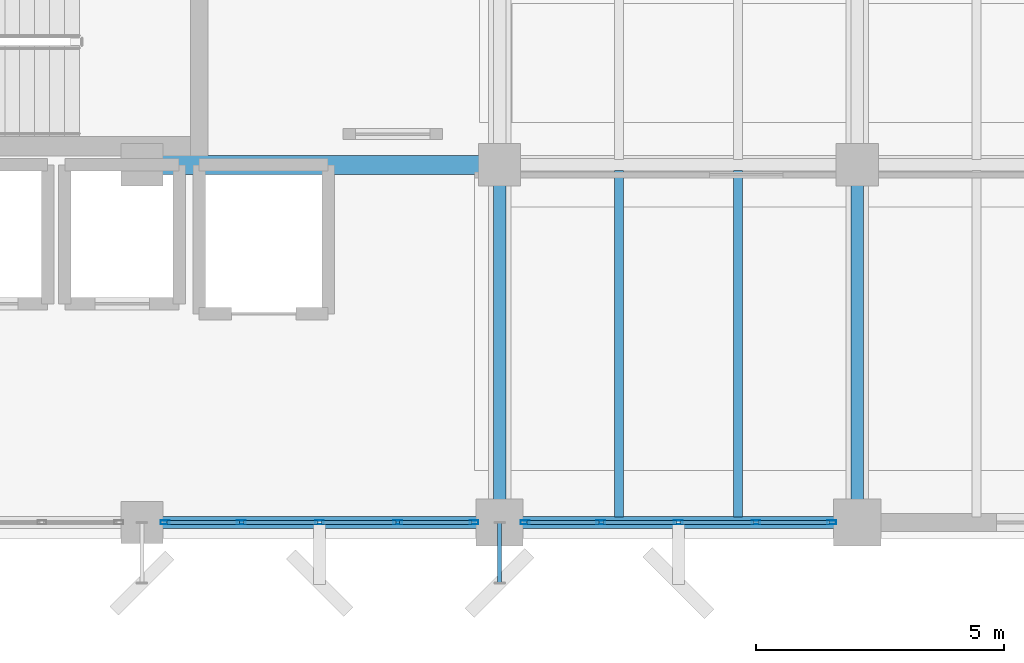
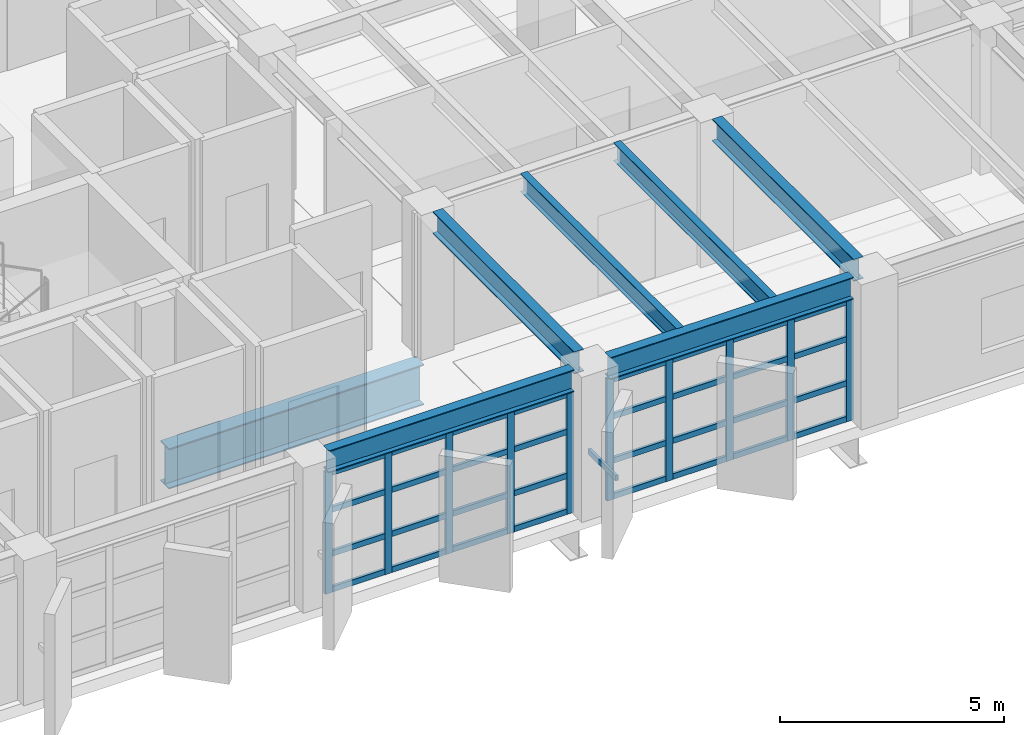
# One storey, part 8 of 59: 43 members, 7 beams, 2 elements without a shape of their own.
"""IFC4 building model written with IfcOpenShell, lengths in metres."""

from ifc_helpers import new_model, si_unit, direction, frame, origin, origin_2d, place, context, subcontext, project, spatial, hollow_rectangle, i_section, extrude, material, layer, layer_set, material_profile, profile_set, type_object, element, aggregate, save


model = new_model("IFC4")

# Units and contexts
model_context = context("Model", 3, precision=1e-05, world=origin(), true_north=direction((0.0, 1.0)))
body_context = subcontext(model_context, "Body", "Model", "MODEL_VIEW")
ifc_project = project(units=[si_unit("LENGTHUNIT", "METRE"), si_unit("AREAUNIT", "SQUARE_METRE"), si_unit("VOLUMEUNIT", "CUBIC_METRE"), si_unit("PLANEANGLEUNIT", "RADIAN"), si_unit("MASSUNIT", "GRAM", prefix="KILO")], contexts=[model_context])

# Site, building, storey
site_placement = place(None, origin())
site = spatial("IfcSite", under=ifc_project, at=site_placement, CompositionType="ELEMENT")
building_placement = place(site_placement, origin())
building = spatial("IfcBuilding", under=site, at=building_placement, Name="Kandorven Conservatory and Botanical Research Centre", CompositionType="ELEMENT")
storey_placement = place(building_placement, frame((0.0, 0.0, 4.800048828125)))
storey = spatial("IfcBuildingStorey", under=building, at=storey_placement, Name="L01", CompositionType="ELEMENT", Elevation=4.800048828125)

# Beams
ifc_material_1 = material(Name="Steel S355 (IS 2062 E350)", Category="steel")
ifc_material_profile_1 = material_profile(ifc_material_1, i_section(OverallWidth=0.25, OverallDepth=0.60009765625, WebThickness=0.01171875, FlangeThickness=0.023681640625, at=origin_2d()))
ifc_profile_set_1 = profile_set([ifc_material_profile_1], Name="Steel S355 (IS 2062 E350)")
beam_type_1 = type_object("IfcBeamType", Name="Beam_FG-01", PredefinedType="USERDEFINED", material=ifc_profile_set_1)
beam_1_placement = place(storey_placement, frame((20.81494140625, 6.0, 3.64990234375), z_axis=(1.0, 0.0, 0.0), x_axis=(0.0, 1.0, 0.0)))
element("IfcBeam", 1, at=beam_1_placement, inside=storey, type_object=beam_type_1, Name="Primary girder FG-01 TWR L01", ObjectType="GIRDER", PredefinedType="USERDEFINED", context=body_context, shape_type="SweptSolid", body=[
    extrude(i_section(OverallWidth=0.25, OverallDepth=0.60009765625, WebThickness=0.01171875, FlangeThickness=0.023681640625, at=origin_2d()), origin(), (0.0, 0.0, 1.0), 6.320068359375),
])
beam_2_placement = place(storey_placement, frame((28.06494140625, 6.0, 3.64990234375), z_axis=(1.0, 0.0, 0.0), x_axis=(0.0, 1.0, 0.0)))
element("IfcBeam", 2, at=beam_2_placement, inside=storey, type_object=beam_type_1, Name="Primary girder FG-01 TWR L01", ObjectType="GIRDER", PredefinedType="USERDEFINED", context=body_context, shape_type="SweptSolid", body=[
    extrude(i_section(OverallWidth=0.25, OverallDepth=0.60009765625, WebThickness=0.01171875, FlangeThickness=0.023681640625, at=origin_2d()), origin(), (0.0, 0.0, 1.0), 6.27001953125),
])
for number, where, z_axis, x_axis, name in (
    (3, (27.60009765625, 6.465087890625, 3.64990234375), (0.0, 1.0, 0.0), (-1.0, 0.0, 0.0), "Primary girder FG-01 TWR L01"),
    (4, (34.800048828125, 6.465087890625, 3.64990234375), (0.0, 1.0, 0.0), (-1.0, 0.0, 0.0), "Primary girder FG-01 TWR L01"),
):
    element("IfcBeam", number, at=place(storey_placement, frame(where, z_axis=z_axis, x_axis=x_axis)), inside=storey, type_object=beam_type_1, Name=name, ObjectType="GIRDER", PredefinedType="USERDEFINED", context=body_context, shape_type="SweptSolid", body=[
        extrude(i_section(OverallWidth=0.25, OverallDepth=0.60009765625, WebThickness=0.01171875, FlangeThickness=0.023681640625, at=origin_2d()), origin(), (0.0, 0.0, 1.0), 6.31982421875),
    ])
ifc_material_2 = material(Name="Steel S355 (IS 2062 E350)", Category="steel")
ifc_material_profile_2 = material_profile(ifc_material_2, i_section(OverallWidth=0.3798828125, OverallDepth=1.10009765625, WebThickness=0.02001953125, FlangeThickness=0.031982421875, at=origin_2d()))
ifc_profile_set_2 = profile_set([ifc_material_profile_2], Name="Steel S355 (IS 2062 E350)")
beam_type_2 = type_object("IfcBeamType", Name="Beam_PG-01", PredefinedType="USERDEFINED", material=ifc_profile_set_2)
beam_3_placement = place(storey_placement, frame((20.81494140625, 13.199951171875, -0.8701171875), z_axis=(1.0, 0.0, 0.0), x_axis=(0.0, 1.0, 0.0)))
element("IfcBeam", 5, at=beam_3_placement, inside=storey, type_object=beam_type_2, Name="Transfer tie girder PG-01 bay 1", ObjectType="GIRDER", PredefinedType="USERDEFINED", context=body_context, shape_type="SweptSolid", body=[
    extrude(i_section(OverallWidth=0.3798828125, OverallDepth=1.10009765625, WebThickness=0.02001953125, FlangeThickness=0.031982421875, at=origin_2d()), origin(), (0.0, 0.0, 1.0), 6.570068359375),
])
ifc_material_3 = material(Name="Steel S355 (IS 2062 E350)", Category="steel")
ifc_material_profile_3 = material_profile(ifc_material_3, i_section(OverallWidth=0.179931640625, OverallDepth=0.5, WebThickness=0.01025390625, FlangeThickness=0.01708984375, at=origin_2d()))
ifc_profile_set_3 = profile_set([ifc_material_profile_3], Name="Steel S355 (IS 2062 E350)")
beam_type_3 = type_object("IfcBeamType", Name="Beam_SB-03", PredefinedType="BEAM", material=ifc_profile_set_3)
for number, where, z_axis, x_axis, name in (
    (6, (30.0, 6.110107421875, 3.699951171875), (0.0, 1.0, 0.0), (-1.0, 0.0, 0.0), "Composite secondary beam SB-03 TWR L01"),
    (7, (32.39990234375, 6.110107421875, 3.699951171875), (0.0, 1.0, 0.0), (-1.0, 0.0, 0.0), "Composite secondary beam SB-03 TWR L01"),
):
    element("IfcBeam", number, at=place(storey_placement, frame(where, z_axis=z_axis, x_axis=x_axis)), inside=storey, type_object=beam_type_3, Name=name, PredefinedType="BEAM", context=body_context, shape_type="SweptSolid", body=[
        extrude(i_section(OverallWidth=0.179931640625, OverallDepth=0.5, WebThickness=0.01025390625, FlangeThickness=0.01708984375, at=origin_2d()), origin(), (0.0, 0.0, 1.0), 6.97998046875),
    ])

# Curtain wall, members
ifc_material_4 = material(Name="Bronze anodised thermally broken aluminium", Category="aluminium")
ifc_layer = layer(ifc_material_4, 0.179931640625)
ifc_layer_set = layer_set([ifc_layer], Name="Bronze anodised thermally broken aluminium")
curtain_wall_type = type_object("IfcCurtainWallType", Name="CW_Unitised", PredefinedType="USERDEFINED", material=ifc_layer_set)
curtain_wall_1_placement = place(storey_placement, origin())
curtain_wall_1 = element("IfcCurtainWall", 8, at=curtain_wall_1_placement, inside=storey, type_object=curtain_wall_type, Name="Tower laboratory curtain wall CW-TWR-S-L01-3", ObjectType="UNITISED GLAZING", PredefinedType="USERDEFINED")
ifc_material_5 = material(Name="Bronze anodised thermally broken aluminium", Category="aluminium")
ifc_material_profile_4 = material_profile(ifc_material_5, hollow_rectangle(XDim=0.080078125, YDim=0.179931640625, WallThickness=0.006103515625, at=origin_2d()))
ifc_profile_set_4 = profile_set([ifc_material_profile_4], Name="Bronze anodised thermally broken aluminium")
member_type_1 = type_object("IfcMemberType", Name="CW_Mullion", PredefinedType="MULLION", material=ifc_profile_set_4)
member_1_placement = place(storey_placement, frame((20.864990234375, 6.0, 0.0), z_axis=(0.0, 0.0, 1.0), x_axis=(0.0, 1.0, 0.0)))
member_1 = element("IfcMember", 9, at=member_1_placement, type_object=member_type_1, Name="CW-01 mullion 1", PredefinedType="MULLION", context=body_context, shape_type="SweptSolid", body=[
    extrude(hollow_rectangle(XDim=0.080078125, YDim=0.179931640625, WallThickness=0.006103515625, at=origin_2d()), origin(), (0.0, 0.0, 1.0), 3.329833984375),
])
member_2_placement = place(storey_placement, frame((22.39990234375, 6.0, 0.0), z_axis=(0.0, 0.0, 1.0), x_axis=(0.0, 1.0, 0.0)))
member_2 = element("IfcMember", 10, at=member_2_placement, type_object=member_type_1, Name="CW-01 mullion 2", PredefinedType="MULLION", context=body_context, shape_type="SweptSolid", body=[
    extrude(hollow_rectangle(XDim=0.080078125, YDim=0.179931640625, WallThickness=0.006103515625, at=origin_2d()), origin(), (0.0, 0.0, 1.0), 3.329833984375),
])
member_3_placement = place(storey_placement, frame((23.97509765625, 6.0, 0.0), z_axis=(0.0, 0.0, 1.0), x_axis=(0.0, 1.0, 0.0)))
member_3 = element("IfcMember", 11, at=member_3_placement, type_object=member_type_1, Name="CW-01 mullion 3", PredefinedType="MULLION", context=body_context, shape_type="SweptSolid", body=[
    extrude(hollow_rectangle(XDim=0.080078125, YDim=0.179931640625, WallThickness=0.006103515625, at=origin_2d()), origin(), (0.0, 0.0, 1.0), 3.329833984375),
])
member_4_placement = place(storey_placement, frame((25.550048828125, 6.0, 0.0), z_axis=(0.0, 0.0, 1.0), x_axis=(0.0, 1.0, 0.0)))
member_4 = element("IfcMember", 12, at=member_4_placement, type_object=member_type_1, Name="CW-01 mullion 4", PredefinedType="MULLION", context=body_context, shape_type="SweptSolid", body=[
    extrude(hollow_rectangle(XDim=0.080078125, YDim=0.179931640625, WallThickness=0.006103515625, at=origin_2d()), origin(), (0.0, 0.0, 1.0), 3.329833984375),
])
member_5_placement = place(storey_placement, frame((27.0849609375, 6.0, 0.0), z_axis=(0.0, 0.0, 1.0), x_axis=(0.0, 1.0, 0.0)))
member_5 = element("IfcMember", 13, at=member_5_placement, type_object=member_type_1, Name="CW-01 mullion 5", PredefinedType="MULLION", context=body_context, shape_type="SweptSolid", body=[
    extrude(hollow_rectangle(XDim=0.080078125, YDim=0.179931640625, WallThickness=0.006103515625, at=origin_2d()), origin(), (0.0, 0.0, 1.0), 3.329833984375),
])

curtain_wall_2_placement = place(storey_placement, origin())
curtain_wall_2 = element("IfcCurtainWall", 14, at=curtain_wall_2_placement, inside=storey, type_object=curtain_wall_type, Name="Tower laboratory curtain wall CW-TWR-S-L01-4", ObjectType="UNITISED GLAZING", PredefinedType="USERDEFINED")
member_6_placement = place(storey_placement, frame((28.114990234375, 6.0, 0.0), z_axis=(0.0, 0.0, 1.0), x_axis=(0.0, 1.0, 0.0)))
member_6 = element("IfcMember", 15, at=member_6_placement, type_object=member_type_1, Name="CW-01 mullion 1", PredefinedType="MULLION", context=body_context, shape_type="SweptSolid", body=[
    extrude(hollow_rectangle(XDim=0.080078125, YDim=0.179931640625, WallThickness=0.006103515625, at=origin_2d()), origin(), (0.0, 0.0, 1.0), 3.329833984375),
])
member_7_placement = place(storey_placement, frame((29.637451171875, 6.0, 0.0), z_axis=(0.0, 0.0, 1.0), x_axis=(0.0, 1.0, 0.0)))
member_7 = element("IfcMember", 16, at=member_7_placement, type_object=member_type_1, Name="CW-01 mullion 2", PredefinedType="MULLION", context=body_context, shape_type="SweptSolid", body=[
    extrude(hollow_rectangle(XDim=0.080078125, YDim=0.179931640625, WallThickness=0.006103515625, at=origin_2d()), origin(), (0.0, 0.0, 1.0), 3.329833984375),
])
member_8_placement = place(storey_placement, frame((31.199951171875, 6.0, 0.0), z_axis=(0.0, 0.0, 1.0), x_axis=(0.0, 1.0, 0.0)))
member_8 = element("IfcMember", 17, at=member_8_placement, type_object=member_type_1, Name="CW-01 mullion 3", PredefinedType="MULLION", context=body_context, shape_type="SweptSolid", body=[
    extrude(hollow_rectangle(XDim=0.080078125, YDim=0.179931640625, WallThickness=0.006103515625, at=origin_2d()), origin(), (0.0, 0.0, 1.0), 3.329833984375),
])
member_9_placement = place(storey_placement, frame((32.762451171875, 6.0, 0.0), z_axis=(0.0, 0.0, 1.0), x_axis=(0.0, 1.0, 0.0)))
member_9 = element("IfcMember", 18, at=member_9_placement, type_object=member_type_1, Name="CW-01 mullion 4", PredefinedType="MULLION", context=body_context, shape_type="SweptSolid", body=[
    extrude(hollow_rectangle(XDim=0.080078125, YDim=0.179931640625, WallThickness=0.006103515625, at=origin_2d()), origin(), (0.0, 0.0, 1.0), 3.329833984375),
])
member_10_placement = place(storey_placement, frame((34.284912109375, 6.0, 0.0), z_axis=(0.0, 0.0, 1.0), x_axis=(0.0, 1.0, 0.0)))
member_10 = element("IfcMember", 19, at=member_10_placement, type_object=member_type_1, Name="CW-01 mullion 5", PredefinedType="MULLION", context=body_context, shape_type="SweptSolid", body=[
    extrude(hollow_rectangle(XDim=0.080078125, YDim=0.179931640625, WallThickness=0.006103515625, at=origin_2d()), origin(), (0.0, 0.0, 1.0), 3.329833984375),
])

# Member
ifc_material_6 = material(Name="Bronze anodised thermally broken aluminium", Category="aluminium")
ifc_material_profile_5 = material_profile(ifc_material_6, hollow_rectangle(XDim=0.074951171875, YDim=0.14990234375, WallThickness=0.006103515625, at=origin_2d()))
ifc_profile_set_5 = profile_set([ifc_material_profile_5], Name="Bronze anodised thermally broken aluminium")
member_type_2 = type_object("IfcMemberType", Name="CW_Transom", PredefinedType="USERDEFINED", material=ifc_profile_set_5)
member_11_placement = place(storey_placement, frame((20.905029296875, 6.0, 0.074951171875), z_axis=(1.0, 0.0, 0.0), x_axis=(0.0, 1.0, 0.0)))
member_11 = element("IfcMember", 20, at=member_11_placement, type_object=member_type_2, Name="CW-01 transom 1.1", ObjectType="TRANSOM", PredefinedType="USERDEFINED", context=body_context, shape_type="SweptSolid", body=[
    extrude(hollow_rectangle(XDim=0.074951171875, YDim=0.14990234375, WallThickness=0.006103515625, at=origin_2d()), origin(), (0.0, 0.0, 1.0), 1.455078125),
])

member_12_placement = place(storey_placement, frame((20.905029296875, 6.0, 1.050048828125), z_axis=(1.0, 0.0, 0.0), x_axis=(0.0, 1.0, 0.0)))
member_12 = element("IfcMember", 21, at=member_12_placement, type_object=member_type_2, Name="CW-01 transom 1.2", ObjectType="TRANSOM", PredefinedType="USERDEFINED", context=body_context, shape_type="SweptSolid", body=[
    extrude(hollow_rectangle(XDim=0.074951171875, YDim=0.14990234375, WallThickness=0.006103515625, at=origin_2d()), origin(), (0.0, 0.0, 1.0), 1.455078125),
])

member_13_placement = place(storey_placement, frame((20.905029296875, 6.0, 2.25), z_axis=(1.0, 0.0, 0.0), x_axis=(0.0, 1.0, 0.0)))
member_13 = element("IfcMember", 22, at=member_13_placement, type_object=member_type_2, Name="CW-01 transom 1.3", ObjectType="TRANSOM", PredefinedType="USERDEFINED", context=body_context, shape_type="SweptSolid", body=[
    extrude(hollow_rectangle(XDim=0.074951171875, YDim=0.14990234375, WallThickness=0.006103515625, at=origin_2d()), origin(), (0.0, 0.0, 1.0), 1.455078125),
])

member_14_placement = place(storey_placement, frame((20.905029296875, 6.0, 3.2548828125), z_axis=(1.0, 0.0, 0.0), x_axis=(0.0, 1.0, 0.0)))
member_14 = element("IfcMember", 23, at=member_14_placement, type_object=member_type_2, Name="CW-01 transom 1.4", ObjectType="TRANSOM", PredefinedType="USERDEFINED", context=body_context, shape_type="SweptSolid", body=[
    extrude(hollow_rectangle(XDim=0.074951171875, YDim=0.14990234375, WallThickness=0.006103515625, at=origin_2d()), origin(), (0.0, 0.0, 1.0), 1.455078125),
])

member_15_placement = place(storey_placement, frame((22.43994140625, 6.0, 0.074951171875), z_axis=(1.0, 0.0, 0.0), x_axis=(0.0, 1.0, 0.0)))
member_15 = element("IfcMember", 24, at=member_15_placement, type_object=member_type_2, Name="CW-01 transom 2.1", ObjectType="TRANSOM", PredefinedType="USERDEFINED", context=body_context, shape_type="SweptSolid", body=[
    extrude(hollow_rectangle(XDim=0.074951171875, YDim=0.14990234375, WallThickness=0.006103515625, at=origin_2d()), origin(), (0.0, 0.0, 1.0), 1.4951171875),
])

member_16_placement = place(storey_placement, frame((22.43994140625, 6.0, 1.050048828125), z_axis=(1.0, 0.0, 0.0), x_axis=(0.0, 1.0, 0.0)))
member_16 = element("IfcMember", 25, at=member_16_placement, type_object=member_type_2, Name="CW-01 transom 2.2", ObjectType="TRANSOM", PredefinedType="USERDEFINED", context=body_context, shape_type="SweptSolid", body=[
    extrude(hollow_rectangle(XDim=0.074951171875, YDim=0.14990234375, WallThickness=0.006103515625, at=origin_2d()), origin(), (0.0, 0.0, 1.0), 1.4951171875),
])

member_17_placement = place(storey_placement, frame((22.43994140625, 6.0, 2.25), z_axis=(1.0, 0.0, 0.0), x_axis=(0.0, 1.0, 0.0)))
member_17 = element("IfcMember", 26, at=member_17_placement, type_object=member_type_2, Name="CW-01 transom 2.3", ObjectType="TRANSOM", PredefinedType="USERDEFINED", context=body_context, shape_type="SweptSolid", body=[
    extrude(hollow_rectangle(XDim=0.074951171875, YDim=0.14990234375, WallThickness=0.006103515625, at=origin_2d()), origin(), (0.0, 0.0, 1.0), 1.4951171875),
])

member_18_placement = place(storey_placement, frame((22.43994140625, 6.0, 3.2548828125), z_axis=(1.0, 0.0, 0.0), x_axis=(0.0, 1.0, 0.0)))
member_18 = element("IfcMember", 27, at=member_18_placement, type_object=member_type_2, Name="CW-01 transom 2.4", ObjectType="TRANSOM", PredefinedType="USERDEFINED", context=body_context, shape_type="SweptSolid", body=[
    extrude(hollow_rectangle(XDim=0.074951171875, YDim=0.14990234375, WallThickness=0.006103515625, at=origin_2d()), origin(), (0.0, 0.0, 1.0), 1.4951171875),
])

member_19_placement = place(storey_placement, frame((24.014892578125, 6.0, 0.074951171875), z_axis=(1.0, 0.0, 0.0), x_axis=(0.0, 1.0, 0.0)))
member_19 = element("IfcMember", 28, at=member_19_placement, type_object=member_type_2, Name="CW-01 transom 3.1", ObjectType="TRANSOM", PredefinedType="USERDEFINED", context=body_context, shape_type="SweptSolid", body=[
    extrude(hollow_rectangle(XDim=0.074951171875, YDim=0.14990234375, WallThickness=0.006103515625, at=origin_2d()), origin(), (0.0, 0.0, 1.0), 1.4951171875),
])

member_20_placement = place(storey_placement, frame((24.014892578125, 6.0, 1.050048828125), z_axis=(1.0, 0.0, 0.0), x_axis=(0.0, 1.0, 0.0)))
member_20 = element("IfcMember", 29, at=member_20_placement, type_object=member_type_2, Name="CW-01 transom 3.2", ObjectType="TRANSOM", PredefinedType="USERDEFINED", context=body_context, shape_type="SweptSolid", body=[
    extrude(hollow_rectangle(XDim=0.074951171875, YDim=0.14990234375, WallThickness=0.006103515625, at=origin_2d()), origin(), (0.0, 0.0, 1.0), 1.4951171875),
])

member_21_placement = place(storey_placement, frame((24.014892578125, 6.0, 2.25), z_axis=(1.0, 0.0, 0.0), x_axis=(0.0, 1.0, 0.0)))
member_21 = element("IfcMember", 30, at=member_21_placement, type_object=member_type_2, Name="CW-01 transom 3.3", ObjectType="TRANSOM", PredefinedType="USERDEFINED", context=body_context, shape_type="SweptSolid", body=[
    extrude(hollow_rectangle(XDim=0.074951171875, YDim=0.14990234375, WallThickness=0.006103515625, at=origin_2d()), origin(), (0.0, 0.0, 1.0), 1.4951171875),
])

member_22_placement = place(storey_placement, frame((24.014892578125, 6.0, 3.2548828125), z_axis=(1.0, 0.0, 0.0), x_axis=(0.0, 1.0, 0.0)))
member_22 = element("IfcMember", 31, at=member_22_placement, type_object=member_type_2, Name="CW-01 transom 3.4", ObjectType="TRANSOM", PredefinedType="USERDEFINED", context=body_context, shape_type="SweptSolid", body=[
    extrude(hollow_rectangle(XDim=0.074951171875, YDim=0.14990234375, WallThickness=0.006103515625, at=origin_2d()), origin(), (0.0, 0.0, 1.0), 1.4951171875),
])

member_23_placement = place(storey_placement, frame((25.590087890625, 6.0, 0.074951171875), z_axis=(1.0, 0.0, 0.0), x_axis=(0.0, 1.0, 0.0)))
member_23 = element("IfcMember", 32, at=member_23_placement, type_object=member_type_2, Name="CW-01 transom 4.1", ObjectType="TRANSOM", PredefinedType="USERDEFINED", context=body_context, shape_type="SweptSolid", body=[
    extrude(hollow_rectangle(XDim=0.074951171875, YDim=0.14990234375, WallThickness=0.006103515625, at=origin_2d()), origin(), (0.0, 0.0, 1.0), 1.454833984375),
])

member_24_placement = place(storey_placement, frame((25.590087890625, 6.0, 1.050048828125), z_axis=(1.0, 0.0, 0.0), x_axis=(0.0, 1.0, 0.0)))
member_24 = element("IfcMember", 33, at=member_24_placement, type_object=member_type_2, Name="CW-01 transom 4.2", ObjectType="TRANSOM", PredefinedType="USERDEFINED", context=body_context, shape_type="SweptSolid", body=[
    extrude(hollow_rectangle(XDim=0.074951171875, YDim=0.14990234375, WallThickness=0.006103515625, at=origin_2d()), origin(), (0.0, 0.0, 1.0), 1.454833984375),
])

member_25_placement = place(storey_placement, frame((25.590087890625, 6.0, 2.25), z_axis=(1.0, 0.0, 0.0), x_axis=(0.0, 1.0, 0.0)))
member_25 = element("IfcMember", 34, at=member_25_placement, type_object=member_type_2, Name="CW-01 transom 4.3", ObjectType="TRANSOM", PredefinedType="USERDEFINED", context=body_context, shape_type="SweptSolid", body=[
    extrude(hollow_rectangle(XDim=0.074951171875, YDim=0.14990234375, WallThickness=0.006103515625, at=origin_2d()), origin(), (0.0, 0.0, 1.0), 1.454833984375),
])

member_26_placement = place(storey_placement, frame((25.590087890625, 6.0, 3.2548828125), z_axis=(1.0, 0.0, 0.0), x_axis=(0.0, 1.0, 0.0)))
member_26 = element("IfcMember", 35, at=member_26_placement, type_object=member_type_2, Name="CW-01 transom 4.4", ObjectType="TRANSOM", PredefinedType="USERDEFINED", context=body_context, shape_type="SweptSolid", body=[
    extrude(hollow_rectangle(XDim=0.074951171875, YDim=0.14990234375, WallThickness=0.006103515625, at=origin_2d()), origin(), (0.0, 0.0, 1.0), 1.454833984375),
])

aggregate(curtain_wall_1, [member_1, member_2, member_3, member_4, member_5, member_11, member_12, member_13, member_14, member_15, member_16, member_17, member_18, member_19, member_20, member_21, member_22, member_23, member_24, member_25, member_26])

member_27_placement = place(storey_placement, frame((28.155029296875, 6.0, 0.074951171875), z_axis=(1.0, 0.0, 0.0), x_axis=(0.0, 1.0, 0.0)))
member_27 = element("IfcMember", 36, at=member_27_placement, type_object=member_type_2, Name="CW-01 transom 1.1", ObjectType="TRANSOM", PredefinedType="USERDEFINED", context=body_context, shape_type="SweptSolid", body=[
    extrude(hollow_rectangle(XDim=0.074951171875, YDim=0.14990234375, WallThickness=0.006103515625, at=origin_2d()), origin(), (0.0, 0.0, 1.0), 1.4423828125),
])

member_28_placement = place(storey_placement, frame((28.155029296875, 6.0, 1.050048828125), z_axis=(1.0, 0.0, 0.0), x_axis=(0.0, 1.0, 0.0)))
member_28 = element("IfcMember", 37, at=member_28_placement, type_object=member_type_2, Name="CW-01 transom 1.2", ObjectType="TRANSOM", PredefinedType="USERDEFINED", context=body_context, shape_type="SweptSolid", body=[
    extrude(hollow_rectangle(XDim=0.074951171875, YDim=0.14990234375, WallThickness=0.006103515625, at=origin_2d()), origin(), (0.0, 0.0, 1.0), 1.4423828125),
])

member_29_placement = place(storey_placement, frame((28.155029296875, 6.0, 2.25), z_axis=(1.0, 0.0, 0.0), x_axis=(0.0, 1.0, 0.0)))
member_29 = element("IfcMember", 38, at=member_29_placement, type_object=member_type_2, Name="CW-01 transom 1.3", ObjectType="TRANSOM", PredefinedType="USERDEFINED", context=body_context, shape_type="SweptSolid", body=[
    extrude(hollow_rectangle(XDim=0.074951171875, YDim=0.14990234375, WallThickness=0.006103515625, at=origin_2d()), origin(), (0.0, 0.0, 1.0), 1.4423828125),
])

member_30_placement = place(storey_placement, frame((28.155029296875, 6.0, 3.2548828125), z_axis=(1.0, 0.0, 0.0), x_axis=(0.0, 1.0, 0.0)))
member_30 = element("IfcMember", 39, at=member_30_placement, type_object=member_type_2, Name="CW-01 transom 1.4", ObjectType="TRANSOM", PredefinedType="USERDEFINED", context=body_context, shape_type="SweptSolid", body=[
    extrude(hollow_rectangle(XDim=0.074951171875, YDim=0.14990234375, WallThickness=0.006103515625, at=origin_2d()), origin(), (0.0, 0.0, 1.0), 1.4423828125),
])

member_31_placement = place(storey_placement, frame((29.677490234375, 6.0, 0.074951171875), z_axis=(1.0, 0.0, 0.0), x_axis=(0.0, 1.0, 0.0)))
member_31 = element("IfcMember", 40, at=member_31_placement, type_object=member_type_2, Name="CW-01 transom 2.1", ObjectType="TRANSOM", PredefinedType="USERDEFINED", context=body_context, shape_type="SweptSolid", body=[
    extrude(hollow_rectangle(XDim=0.074951171875, YDim=0.14990234375, WallThickness=0.006103515625, at=origin_2d()), origin(), (0.0, 0.0, 1.0), 1.482421875),
])

member_32_placement = place(storey_placement, frame((29.677490234375, 6.0, 1.050048828125), z_axis=(1.0, 0.0, 0.0), x_axis=(0.0, 1.0, 0.0)))
member_32 = element("IfcMember", 41, at=member_32_placement, type_object=member_type_2, Name="CW-01 transom 2.2", ObjectType="TRANSOM", PredefinedType="USERDEFINED", context=body_context, shape_type="SweptSolid", body=[
    extrude(hollow_rectangle(XDim=0.074951171875, YDim=0.14990234375, WallThickness=0.006103515625, at=origin_2d()), origin(), (0.0, 0.0, 1.0), 1.482421875),
])

member_33_placement = place(storey_placement, frame((29.677490234375, 6.0, 2.25), z_axis=(1.0, 0.0, 0.0), x_axis=(0.0, 1.0, 0.0)))
member_33 = element("IfcMember", 42, at=member_33_placement, type_object=member_type_2, Name="CW-01 transom 2.3", ObjectType="TRANSOM", PredefinedType="USERDEFINED", context=body_context, shape_type="SweptSolid", body=[
    extrude(hollow_rectangle(XDim=0.074951171875, YDim=0.14990234375, WallThickness=0.006103515625, at=origin_2d()), origin(), (0.0, 0.0, 1.0), 1.482421875),
])

member_34_placement = place(storey_placement, frame((29.677490234375, 6.0, 3.2548828125), z_axis=(1.0, 0.0, 0.0), x_axis=(0.0, 1.0, 0.0)))
member_34 = element("IfcMember", 43, at=member_34_placement, type_object=member_type_2, Name="CW-01 transom 2.4", ObjectType="TRANSOM", PredefinedType="USERDEFINED", context=body_context, shape_type="SweptSolid", body=[
    extrude(hollow_rectangle(XDim=0.074951171875, YDim=0.14990234375, WallThickness=0.006103515625, at=origin_2d()), origin(), (0.0, 0.0, 1.0), 1.482421875),
])

member_35_placement = place(storey_placement, frame((31.239990234375, 6.0, 0.074951171875), z_axis=(1.0, 0.0, 0.0), x_axis=(0.0, 1.0, 0.0)))
member_35 = element("IfcMember", 44, at=member_35_placement, type_object=member_type_2, Name="CW-01 transom 3.1", ObjectType="TRANSOM", PredefinedType="USERDEFINED", context=body_context, shape_type="SweptSolid", body=[
    extrude(hollow_rectangle(XDim=0.074951171875, YDim=0.14990234375, WallThickness=0.006103515625, at=origin_2d()), origin(), (0.0, 0.0, 1.0), 1.482421875),
])

member_36_placement = place(storey_placement, frame((31.239990234375, 6.0, 1.050048828125), z_axis=(1.0, 0.0, 0.0), x_axis=(0.0, 1.0, 0.0)))
member_36 = element("IfcMember", 45, at=member_36_placement, type_object=member_type_2, Name="CW-01 transom 3.2", ObjectType="TRANSOM", PredefinedType="USERDEFINED", context=body_context, shape_type="SweptSolid", body=[
    extrude(hollow_rectangle(XDim=0.074951171875, YDim=0.14990234375, WallThickness=0.006103515625, at=origin_2d()), origin(), (0.0, 0.0, 1.0), 1.482421875),
])

member_37_placement = place(storey_placement, frame((31.239990234375, 6.0, 2.25), z_axis=(1.0, 0.0, 0.0), x_axis=(0.0, 1.0, 0.0)))
member_37 = element("IfcMember", 46, at=member_37_placement, type_object=member_type_2, Name="CW-01 transom 3.3", ObjectType="TRANSOM", PredefinedType="USERDEFINED", context=body_context, shape_type="SweptSolid", body=[
    extrude(hollow_rectangle(XDim=0.074951171875, YDim=0.14990234375, WallThickness=0.006103515625, at=origin_2d()), origin(), (0.0, 0.0, 1.0), 1.482421875),
])

member_38_placement = place(storey_placement, frame((31.239990234375, 6.0, 3.2548828125), z_axis=(1.0, 0.0, 0.0), x_axis=(0.0, 1.0, 0.0)))
member_38 = element("IfcMember", 47, at=member_38_placement, type_object=member_type_2, Name="CW-01 transom 3.4", ObjectType="TRANSOM", PredefinedType="USERDEFINED", context=body_context, shape_type="SweptSolid", body=[
    extrude(hollow_rectangle(XDim=0.074951171875, YDim=0.14990234375, WallThickness=0.006103515625, at=origin_2d()), origin(), (0.0, 0.0, 1.0), 1.482421875),
])

member_39_placement = place(storey_placement, frame((32.802490234375, 6.0, 0.074951171875), z_axis=(1.0, 0.0, 0.0), x_axis=(0.0, 1.0, 0.0)))
member_39 = element("IfcMember", 48, at=member_39_placement, type_object=member_type_2, Name="CW-01 transom 4.1", ObjectType="TRANSOM", PredefinedType="USERDEFINED", context=body_context, shape_type="SweptSolid", body=[
    extrude(hollow_rectangle(XDim=0.074951171875, YDim=0.14990234375, WallThickness=0.006103515625, at=origin_2d()), origin(), (0.0, 0.0, 1.0), 1.442626953125),
])

member_40_placement = place(storey_placement, frame((32.802490234375, 6.0, 1.050048828125), z_axis=(1.0, 0.0, 0.0), x_axis=(0.0, 1.0, 0.0)))
member_40 = element("IfcMember", 49, at=member_40_placement, type_object=member_type_2, Name="CW-01 transom 4.2", ObjectType="TRANSOM", PredefinedType="USERDEFINED", context=body_context, shape_type="SweptSolid", body=[
    extrude(hollow_rectangle(XDim=0.074951171875, YDim=0.14990234375, WallThickness=0.006103515625, at=origin_2d()), origin(), (0.0, 0.0, 1.0), 1.442626953125),
])

member_41_placement = place(storey_placement, frame((32.802490234375, 6.0, 2.25), z_axis=(1.0, 0.0, 0.0), x_axis=(0.0, 1.0, 0.0)))
member_41 = element("IfcMember", 50, at=member_41_placement, type_object=member_type_2, Name="CW-01 transom 4.3", ObjectType="TRANSOM", PredefinedType="USERDEFINED", context=body_context, shape_type="SweptSolid", body=[
    extrude(hollow_rectangle(XDim=0.074951171875, YDim=0.14990234375, WallThickness=0.006103515625, at=origin_2d()), origin(), (0.0, 0.0, 1.0), 1.442626953125),
])

member_42_placement = place(storey_placement, frame((32.802490234375, 6.0, 3.2548828125), z_axis=(1.0, 0.0, 0.0), x_axis=(0.0, 1.0, 0.0)))
member_42 = element("IfcMember", 51, at=member_42_placement, type_object=member_type_2, Name="CW-01 transom 4.4", ObjectType="TRANSOM", PredefinedType="USERDEFINED", context=body_context, shape_type="SweptSolid", body=[
    extrude(hollow_rectangle(XDim=0.074951171875, YDim=0.14990234375, WallThickness=0.006103515625, at=origin_2d()), origin(), (0.0, 0.0, 1.0), 1.442626953125),
])

aggregate(curtain_wall_2, [member_6, member_7, member_8, member_9, member_10, member_27, member_28, member_29, member_30, member_31, member_32, member_33, member_34, member_35, member_36, member_37, member_38, member_39, member_40, member_41, member_42])

ifc_material_7 = material(Name="Steel S355 (IS 2062 E350)", Category="steel")
ifc_material_profile_6 = material_profile(ifc_material_7, hollow_rectangle(XDim=0.074951171875, YDim=0.14990234375, WallThickness=0.006103515625, at=origin_2d()))
ifc_profile_set_6 = profile_set([ifc_material_profile_6], Name="Steel S355 (IS 2062 E350)")
member_type_3 = type_object("IfcMemberType", Name="Mem_SF-01", PredefinedType="STRUT", material=ifc_profile_set_6)
member_43_placement = place(storey_placement, frame((27.60009765625, 6.0, 1.5), z_axis=(0.0, -1.0, 0.0), x_axis=(1.0, 0.0, 0.0)))
element("IfcMember", 52, at=member_43_placement, inside=storey, type_object=member_type_3, Name="Solar fin steel outrigger strut SF-01 #5", PredefinedType="STRUT", context=body_context, shape_type="SweptSolid", body=[
    extrude(hollow_rectangle(XDim=0.074951171875, YDim=0.14990234375, WallThickness=0.006103515625, at=origin_2d()), origin(), (0.0, 0.0, 1.0), 1.219970703125),
])

save(model, "model.ifc")
